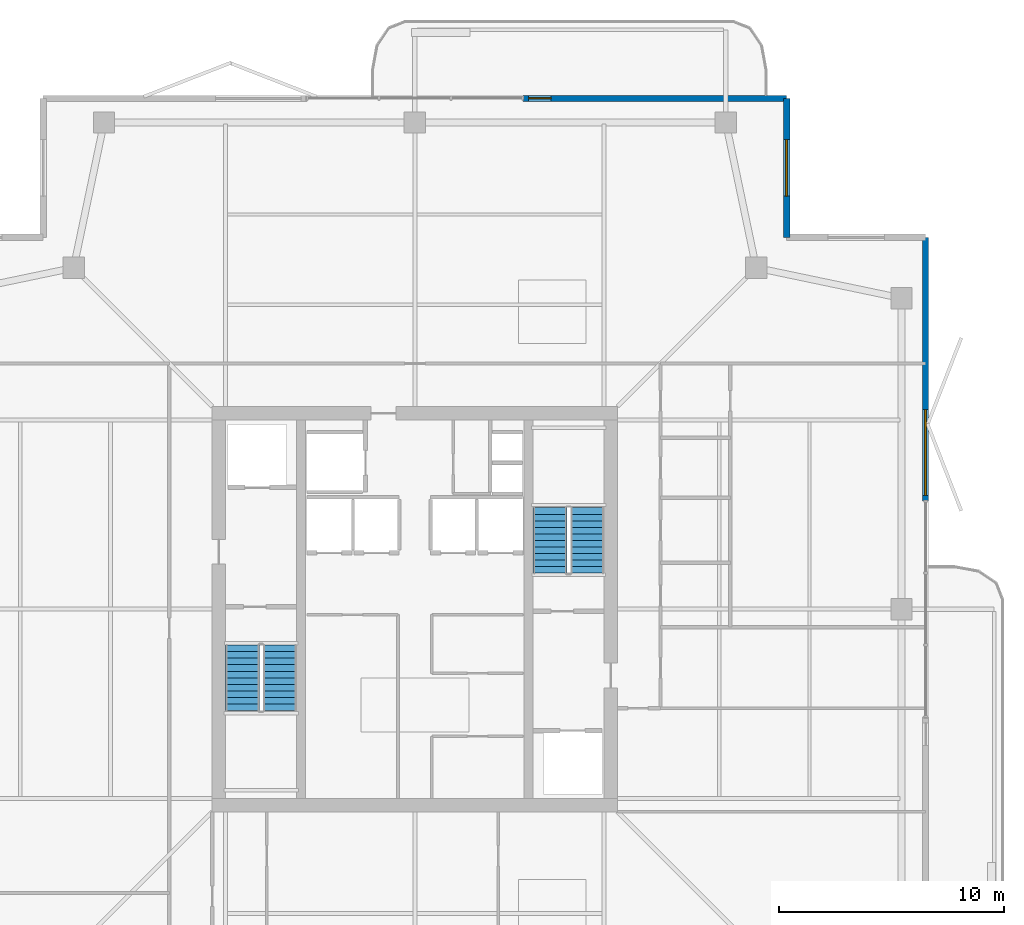
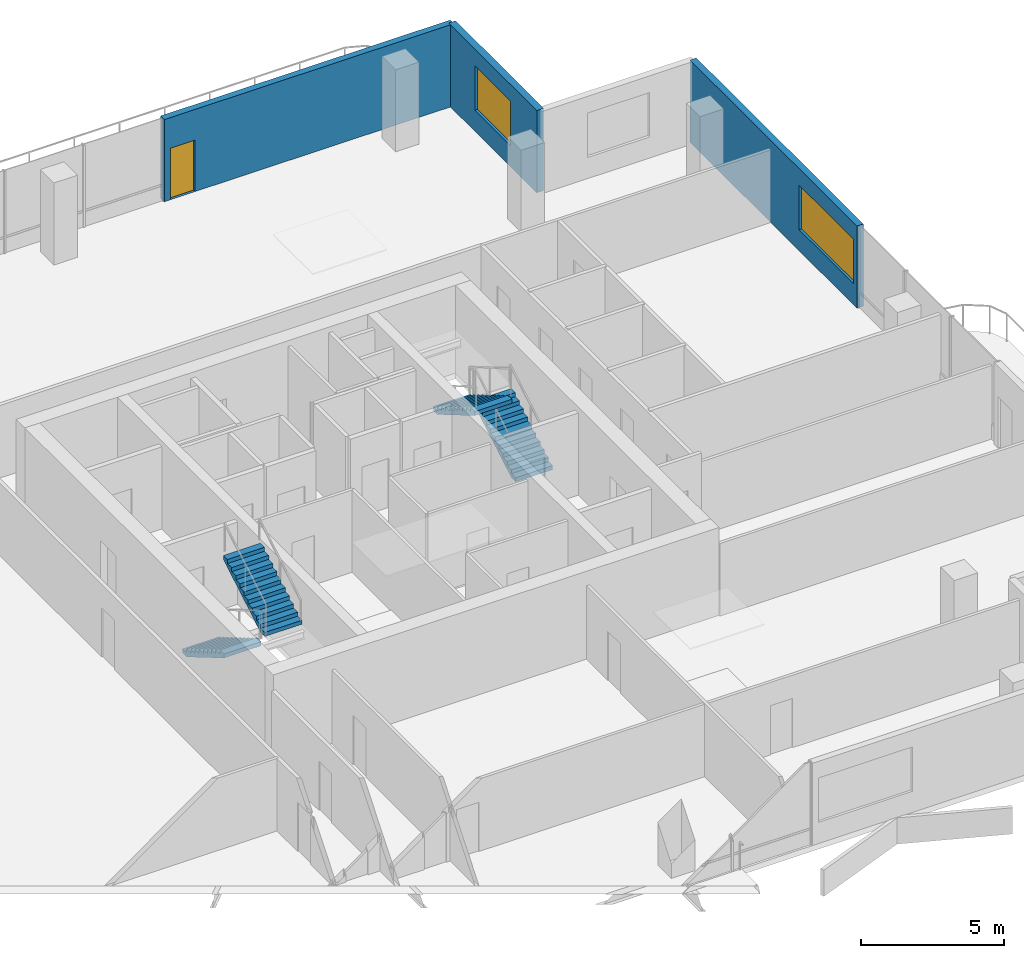
# One storey, part 15 of 17: 4 stair flights, 3 walls, 2 windows, 1 door, 3 openings, 2 elements without a shape of their own.
"""IFC4 building model written with IfcOpenShell, lengths in metres."""

from ifc_helpers import new_model, si_unit, direction, frame, frame_2d, origin, place, context, subcontext, project, spatial, polyline, rectangle, outline, extrude, material, layer, layer_set, type_object, element, fill, aggregate, save


model = new_model("IFC4")

# Units and contexts
model_context = context("Model", 3, precision=1e-05, world=origin(), true_north=direction((0.0, 1.0)))
body_context = subcontext(model_context, "Body", "Model", "MODEL_VIEW")
ifc_project = project(units=[si_unit("LENGTHUNIT", "METRE"), si_unit("AREAUNIT", "SQUARE_METRE"), si_unit("VOLUMEUNIT", "CUBIC_METRE"), si_unit("PLANEANGLEUNIT", "RADIAN"), si_unit("MASSUNIT", "GRAM", prefix="KILO")], contexts=[model_context])

# Site, building, storey
site_placement = place(None, origin())
site = spatial("IfcSite", under=ifc_project, at=site_placement, CompositionType="ELEMENT")
building_placement = place(site_placement, origin())
building = spatial("IfcBuilding", under=site, at=building_placement, Name="Belovzor Exchange Tower", CompositionType="ELEMENT")
storey_placement = place(building_placement, frame((0.0, 0.0, 325.5)))
storey = spatial("IfcBuildingStorey", under=building, at=storey_placement, Name="L81", CompositionType="ELEMENT", Elevation=325.5)

# Wall, opening, window
ifc_material_1 = material(Name="Precast concrete C40/50", Category="concrete")
ifc_layer_1 = layer(ifc_material_1, 0.280029296875)
ifc_layer_set_1 = layer_set([ifc_layer_1], Name="Precast concrete C40/50")
wall_type_1 = type_object("IfcWallType", Name="Precast Concrete Notched Corner Frame Wall 280", PredefinedType="SOLIDWALL", material=ifc_layer_set_1)
wall_1_placement = place(storey_placement, frame((45.300048828125, 51.469970703125, 0.0), z_axis=(0.0, 0.0, 1.0), x_axis=(0.0, -1.0, 0.0)))
wall_1 = element("IfcWall", 1, at=wall_1_placement, inside=storey, type_object=wall_type_1, Name="W-CRN280 Precast Concrete Notched Corner Frame Wall 280 L81", PredefinedType="SOLIDWALL", context=body_context, shape_type="SweptSolid", body=[
    extrude(rectangle(XDim=6.169921875, YDim=0.280029296875, at=frame_2d((3.0849609375, 0.0))), origin(), (0.0, 0.0, 1.0), 3.510009765625),
])
opening_1_placement = place(wall_1_placement, frame((1.8349609375, 0.0, 0.89990234375)))
opening_1 = element("IfcOpeningElement", 2, at=opening_1_placement, cuts=wall_1, Name="Opening WN-CRN250", PredefinedType="OPENING", context=body_context, shape_type="SweptSolid", body=[
    extrude(rectangle(XDim=2.5, YDim=1.89990234375, at=frame_2d((1.25, 0.949951171875))), frame((0.0, 0.14990234375, 0.0), z_axis=(0.0, -1.0, 0.0), x_axis=(1.0, 0.0, 0.0)), (0.0, 0.0, 1.0), 0.300048828125),
])
ifc_material_2 = material(Name="Thermally Broken Aluminium and Triple Glazing", Category="aluminium")
window_type_1 = type_object("IfcWindowType", Name="Streamline Moderne Corner Wrap Ribbon Window 2500x1900", PartitioningType="SINGLE_PANEL", PredefinedType="WINDOW", material=ifc_material_2)
window_1_placement = place(opening_1_placement, origin())
window_1 = element("IfcWindow", 3, at=window_1_placement, inside=storey, type_object=window_type_1, Name="WN-CRN250 Streamline Moderne Corner Wrap Ribbon Window 2500x1900", OverallHeight=1.89990234375, OverallWidth=2.5, PartitioningType="SINGLE_PANEL", PredefinedType="WINDOW", context=body_context, shape_type="SweptSolid", body=[
    extrude(rectangle(XDim=2.5, YDim=1.89990234375, at=frame_2d((1.25, 0.949951171875))), frame((0.0, 0.030029296875, 0.0), z_axis=(0.0, -1.0, 0.0), x_axis=(1.0, 0.0, 0.0)), (0.0, 0.0, 1.0), 0.06005859375),
])
fill(opening_1, window_1)

# Wall, opening, door
ifc_material_3 = material(Name="Precast concrete C40/50", Category="concrete")
ifc_layer_2 = layer(ifc_material_3, 0.260009765625)
ifc_layer_set_2 = layer_set([ifc_layer_2], Name="Precast concrete C40/50")
wall_type_2 = type_object("IfcWallType", Name="Precast Concrete Perimeter Loggia Frame Wall 260", PredefinedType="SOLIDWALL", material=ifc_layer_set_2)
wall_2_placement = place(storey_placement, frame((33.60009765625, 51.469970703125, 0.0), z_axis=(0.0, 0.0, 1.0), x_axis=(1.0, 0.0, 0.0)))
wall_2 = element("IfcWall", 4, at=wall_2_placement, inside=storey, type_object=wall_type_2, Name="W-EXT260 Precast Concrete Perimeter Loggia Frame Wall 260 L81", PredefinedType="SOLIDWALL", context=body_context, shape_type="SweptSolid", body=[
    extrude(rectangle(XDim=11.699951171875, YDim=0.260009765625, at=frame_2d((5.85009765625, 0.0))), origin(), (0.0, 0.0, 1.0), 3.510009765625),
])
opening_2_placement = place(wall_2_placement, frame((0.25, 0.0, 0.0)))
opening_2 = element("IfcOpeningElement", 5, at=opening_2_placement, cuts=wall_2, Name="Opening D-BAL100", PredefinedType="OPENING", context=body_context, shape_type="SweptSolid", body=[
    extrude(rectangle(XDim=1.0, YDim=2.199951171875, at=frame_2d((0.5, 1.10009765625))), frame((0.0, 0.139892578125, 0.0), z_axis=(0.0, -1.0, 0.0), x_axis=(1.0, 0.0, 0.0)), (0.0, 0.0, 1.0), 0.280029296875),
])
ifc_material_4 = material(Name="Thermally Broken Anodised Aluminium and Laminated Glass", Category="aluminium")
door_type = type_object("IfcDoorType", Name="Planted Loggia Terrace Glazed Door 1000x2200", OperationType="SINGLE_SWING_LEFT", PredefinedType="DOOR", material=ifc_material_4)
door_placement = place(opening_2_placement, origin())
door = element("IfcDoor", 6, at=door_placement, inside=storey, type_object=door_type, Name="D-BAL100 Balcony Terrace Door L81 N", OperationType="SINGLE_SWING_RIGHT", OverallHeight=2.199951171875, OverallWidth=1.0, PredefinedType="DOOR", context=body_context, shape_type="SweptSolid", body=[
    extrude(rectangle(XDim=1.0, YDim=2.199951171875, at=frame_2d((0.5, 1.10009765625))), frame((0.0, 0.02490234375, 0.0), z_axis=(0.0, -1.0, 0.0), x_axis=(1.0, 0.0, 0.0)), (0.0, 0.0, 1.0), 0.050048828125),
])
fill(opening_2, door)

# Wall, opening, window
wall_3_placement = place(storey_placement, frame((51.469970703125, 45.300048828125, 0.0), z_axis=(0.0, 0.0, 1.0), x_axis=(0.0, -1.0, 0.0)))
wall_3 = element("IfcWall", 7, at=wall_3_placement, inside=storey, type_object=wall_type_2, Name="W-EXT260 Precast Concrete Perimeter Loggia Frame Wall 260 L81", PredefinedType="SOLIDWALL", context=body_context, shape_type="SweptSolid", body=[
    extrude(rectangle(XDim=11.699951171875, YDim=0.260009765625, at=frame_2d((5.85009765625, 0.0))), origin(), (0.0, 0.0, 1.0), 3.510009765625),
])
opening_3_placement = place(wall_3_placement, frame((7.64990234375, 0.0, 0.89990234375)))
opening_3 = element("IfcOpeningElement", 8, at=opening_3_placement, cuts=wall_3, Name="Opening WN-RIB380", PredefinedType="OPENING", context=body_context, shape_type="SweptSolid", body=[
    extrude(rectangle(XDim=3.800048828125, YDim=1.89990234375, at=frame_2d((1.89990234375, 0.949951171875))), frame((0.0, 0.139892578125, 0.0), z_axis=(0.0, -1.0, 0.0), x_axis=(1.0, 0.0, 0.0)), (0.0, 0.0, 1.0), 0.280029296875),
])
ifc_material_5 = material(Name="Thermally Broken Aluminium and Triple Glazing", Category="aluminium")
window_type_2 = type_object("IfcWindowType", Name="Streamline Moderne Horizontal Ribbon Window 3800x1900", PartitioningType="SINGLE_PANEL", PredefinedType="WINDOW", material=ifc_material_5)
window_2_placement = place(opening_3_placement, origin())
window_2 = element("IfcWindow", 9, at=window_2_placement, inside=storey, type_object=window_type_2, Name="WN-RIB380 Streamline Moderne Horizontal Ribbon Window 3800x1900", OverallHeight=1.89990234375, OverallWidth=3.800048828125, PartitioningType="SINGLE_PANEL", PredefinedType="WINDOW", context=body_context, shape_type="SweptSolid", body=[
    extrude(rectangle(XDim=3.800048828125, YDim=1.89990234375, at=frame_2d((1.89990234375, 0.949951171875))), frame((0.0, 0.030029296875, 0.0), z_axis=(0.0, -1.0, 0.0), x_axis=(1.0, 0.0, 0.0)), (0.0, 0.0, 1.0), 0.06005859375),
])
fill(opening_3, window_2)

# Stair, stair flights
ifc_material_6 = material(Name="Concrete C40/50", Category="concrete")
stair_type = type_object("IfcStairType", Name="Reinforced Concrete Dogleg Escape Stair 1350", PredefinedType="HALF_TURN_STAIR", material=ifc_material_6)
stair_1_placement = place(storey_placement, origin())
stair_1 = element("IfcStair", 10, at=stair_1_placement, inside=storey, type_object=stair_type, Name="L81 ST-1", PredefinedType="HALF_TURN_STAIR")
ifc_material_7 = material(Name="Concrete C40/50", Category="concrete")
stair_flight_type = type_object("IfcStairFlightType", Name="Reinforced Concrete Stair Flight 1350", PredefinedType="STRAIGHT", material=ifc_material_7)
stair_flight_1_placement = place(storey_placement, frame((21.14990234375, 27.199951171875, 0.0), z_axis=(0.0, 0.0, 1.0), x_axis=(0.0, -1.0, 0.0)))
stair_flight_1 = element("IfcStairFlight", 11, at=stair_flight_1_placement, type_object=stair_flight_type, Name="ST-1 flight 1", NumberOfRisers=11, NumberOfTreads=10, PredefinedType="STRAIGHT", RiserHeight=0.170454545, TreadLength=0.29, context=body_context, shape_type="SweptSolid", body=[
    extrude(outline(polyline([(0.0, 0.0), (0.0, 0.17041015625), (0.2900390625, 0.17041015625), (0.2900390625, 0.3408203125), (0.580078125, 0.3408203125), (0.580078125, 0.511474609375), (0.8701171875, 0.511474609375), (0.8701171875, 0.681884765625), (1.159912109375, 0.681884765625), (1.159912109375, 0.852294921875), (1.449951171875, 0.852294921875), (1.449951171875, 1.022705078125), (1.739990234375, 1.022705078125), (1.739990234375, 1.193115234375), (2.030029296875, 1.193115234375), (2.030029296875, 1.363525390625), (2.320068359375, 1.363525390625), (2.320068359375, 1.5341796875), (2.610107421875, 1.5341796875), (2.610107421875, 1.70458984375), (2.89990234375, 1.70458984375), (2.89990234375, 1.875), (2.89990234375, 1.53076171875), (0.2958984375, 0.0), (0.0, 0.0)])), frame((0.0, 0.75, 0.0), z_axis=(0.0, -1.0, 0.0), x_axis=(1.0, 0.0, 0.0)), (0.0, 0.0, 1.0), 1.5),
])
stair_flight_2_placement = place(storey_placement, frame((22.800048828125, 24.300048828125, 1.875), z_axis=(0.0, 0.0, 1.0), x_axis=(0.0, 1.0, 0.0)))
stair_flight_2 = element("IfcStairFlight", 12, at=stair_flight_2_placement, type_object=stair_flight_type, Name="ST-1 flight 2", NumberOfRisers=11, NumberOfTreads=10, PredefinedType="STRAIGHT", RiserHeight=0.170454545, TreadLength=0.29, context=body_context, shape_type="SweptSolid", body=[
    extrude(outline(polyline([(0.0, 0.0), (0.0, 0.17041015625), (0.2900390625, 0.17041015625), (0.2900390625, 0.3408203125), (0.580078125, 0.3408203125), (0.580078125, 0.511474609375), (0.8701171875, 0.511474609375), (0.8701171875, 0.681884765625), (1.159912109375, 0.681884765625), (1.159912109375, 0.852294921875), (1.449951171875, 0.852294921875), (1.449951171875, 1.022705078125), (1.739990234375, 1.022705078125), (1.739990234375, 1.193115234375), (2.030029296875, 1.193115234375), (2.030029296875, 1.363525390625), (2.320068359375, 1.363525390625), (2.320068359375, 1.5341796875), (2.610107421875, 1.5341796875), (2.610107421875, 1.70458984375), (2.89990234375, 1.70458984375), (2.89990234375, 1.875), (2.89990234375, 1.53076171875), (0.2958984375, 0.0), (0.0, 0.0)])), frame((0.0, 0.75, 0.0), z_axis=(0.0, -1.0, 0.0), x_axis=(1.0, 0.0, 0.0)), (0.0, 0.0, 1.0), 1.5),
])
aggregate(stair_1, [stair_flight_1, stair_flight_2])

stair_2_placement = place(storey_placement, origin())
stair_2 = element("IfcStair", 13, at=stair_2_placement, inside=storey, type_object=stair_type, Name="L81 ST-2", PredefinedType="HALF_TURN_STAIR")
stair_flight_3_placement = place(storey_placement, frame((36.449951171875, 30.39990234375, 0.0), z_axis=(0.0, 0.0, 1.0), x_axis=(0.0, 1.0, 0.0)))
stair_flight_3 = element("IfcStairFlight", 14, at=stair_flight_3_placement, type_object=stair_flight_type, Name="ST-2 flight 1", NumberOfRisers=11, NumberOfTreads=10, PredefinedType="STRAIGHT", RiserHeight=0.170454545, TreadLength=0.29, context=body_context, shape_type="SweptSolid", body=[
    extrude(outline(polyline([(0.0, 0.0), (0.0, 0.17041015625), (0.2900390625, 0.17041015625), (0.2900390625, 0.3408203125), (0.580078125, 0.3408203125), (0.580078125, 0.511474609375), (0.8701171875, 0.511474609375), (0.8701171875, 0.681884765625), (1.159912109375, 0.681884765625), (1.159912109375, 0.852294921875), (1.449951171875, 0.852294921875), (1.449951171875, 1.022705078125), (1.739990234375, 1.022705078125), (1.739990234375, 1.193115234375), (2.030029296875, 1.193115234375), (2.030029296875, 1.363525390625), (2.320068359375, 1.363525390625), (2.320068359375, 1.5341796875), (2.610107421875, 1.5341796875), (2.610107421875, 1.70458984375), (2.89990234375, 1.70458984375), (2.89990234375, 1.875), (2.89990234375, 1.53076171875), (0.2958984375, 0.0), (0.0, 0.0)])), frame((0.0, 0.75, 0.0), z_axis=(0.0, -1.0, 0.0), x_axis=(1.0, 0.0, 0.0)), (0.0, 0.0, 1.0), 1.5),
])
stair_flight_4_placement = place(storey_placement, frame((34.800048828125, 33.300048828125, 1.875), z_axis=(0.0, 0.0, 1.0), x_axis=(0.0, -1.0, 0.0)))
stair_flight_4 = element("IfcStairFlight", 15, at=stair_flight_4_placement, type_object=stair_flight_type, Name="ST-2 flight 2", NumberOfRisers=11, NumberOfTreads=10, PredefinedType="STRAIGHT", RiserHeight=0.170454545, TreadLength=0.29, context=body_context, shape_type="SweptSolid", body=[
    extrude(outline(polyline([(0.0, 0.0), (0.0, 0.17041015625), (0.2900390625, 0.17041015625), (0.2900390625, 0.3408203125), (0.580078125, 0.3408203125), (0.580078125, 0.511474609375), (0.8701171875, 0.511474609375), (0.8701171875, 0.681884765625), (1.159912109375, 0.681884765625), (1.159912109375, 0.852294921875), (1.449951171875, 0.852294921875), (1.449951171875, 1.022705078125), (1.739990234375, 1.022705078125), (1.739990234375, 1.193115234375), (2.030029296875, 1.193115234375), (2.030029296875, 1.363525390625), (2.320068359375, 1.363525390625), (2.320068359375, 1.5341796875), (2.610107421875, 1.5341796875), (2.610107421875, 1.70458984375), (2.89990234375, 1.70458984375), (2.89990234375, 1.875), (2.89990234375, 1.53076171875), (0.2958984375, 0.0), (0.0, 0.0)])), frame((0.0, 0.75, 0.0), z_axis=(0.0, -1.0, 0.0), x_axis=(1.0, 0.0, 0.0)), (0.0, 0.0, 1.0), 1.5),
])
aggregate(stair_2, [stair_flight_3, stair_flight_4])

save(model, "model.ifc")
